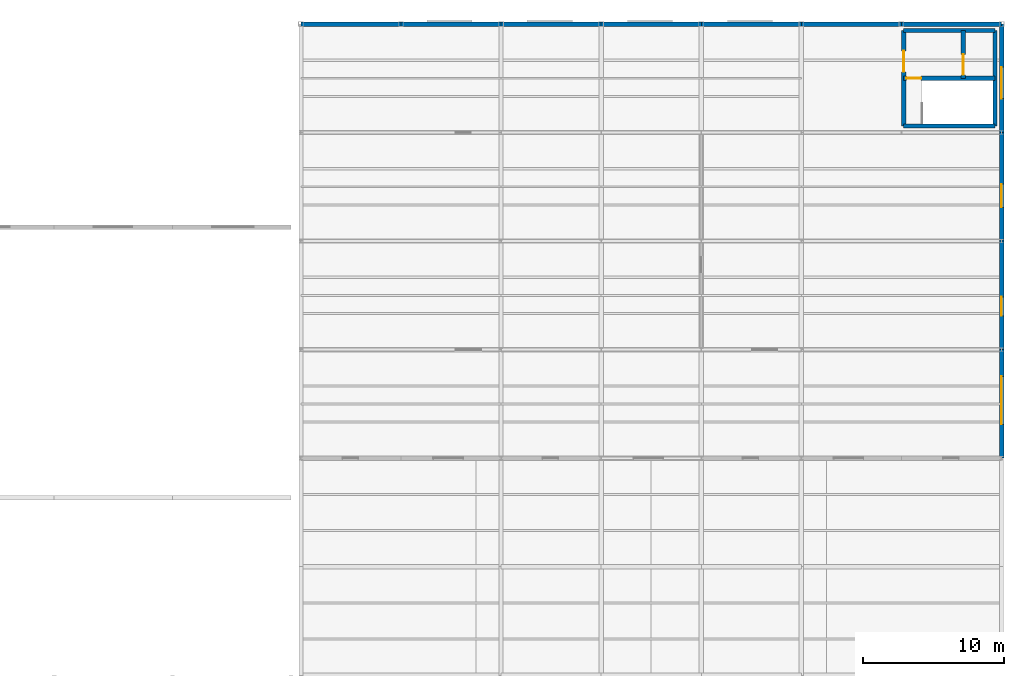
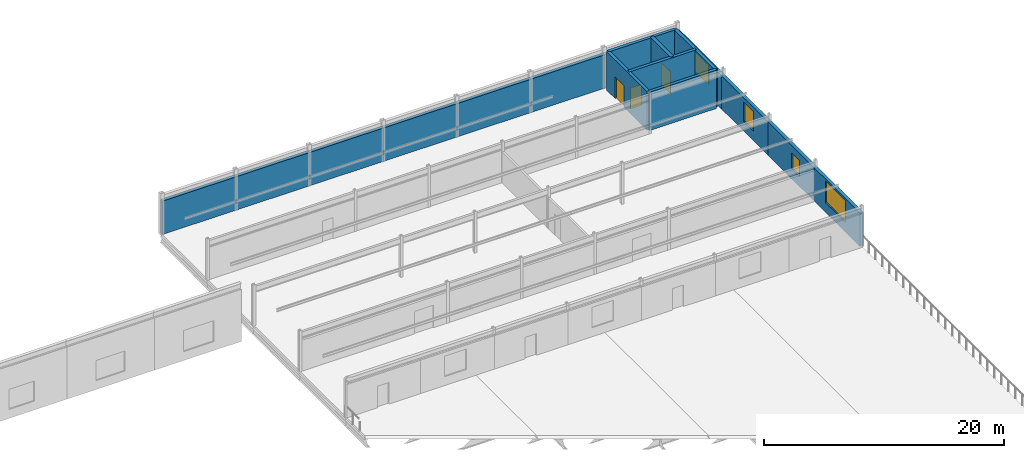
# One storey, part 34 of 39: 17 walls, 4 windows, 3 doors, 7 openings.
"""IFC4 building model written with IfcOpenShell, lengths in metres."""

from ifc_helpers import new_model, si_unit, direction, frame, frame_2d, origin, place, context, subcontext, project, spatial, rectangle, extrude, material, layer, layer_set, type_object, element, fill, save


model = new_model("IFC4")

# Units and contexts
model_context = context("Model", 3, precision=1e-05, world=origin(), true_north=direction((0.0, 1.0)))
body_context = subcontext(model_context, "Body", "Model", "MODEL_VIEW")
ifc_project = project(units=[si_unit("LENGTHUNIT", "METRE"), si_unit("AREAUNIT", "SQUARE_METRE"), si_unit("VOLUMEUNIT", "CUBIC_METRE"), si_unit("PLANEANGLEUNIT", "RADIAN"), si_unit("MASSUNIT", "GRAM", prefix="KILO")], contexts=[model_context])

# Site, building, storey
site_placement = place(None, origin())
site = spatial("IfcSite", under=ifc_project, at=site_placement, CompositionType="ELEMENT")
building_placement = place(site_placement, origin())
building = spatial("IfcBuilding", under=site, at=building_placement, Name="Kazenagashi Tramway Depot", CompositionType="ELEMENT")
storey_placement = place(building_placement, frame((0.0, 0.0, 11.1)))
storey = spatial("IfcBuildingStorey", under=building, at=storey_placement, Name="L03", CompositionType="ELEMENT", Elevation=11.1)

# Wall, opening, window
ifc_material_1 = material(Name="Clay Brick Masonry JIS R 1250 Class 1 (20 MPa)", Category="masonry")
ifc_layer_1 = layer(ifc_material_1, 0.32)
ifc_layer_set_1 = layer_set([ifc_layer_1], Name="Clay Brick Masonry JIS R 1250 Class 1 (20 MPa)")
wall_type_1 = type_object("IfcWallType", Name="W-BK3", PredefinedType="SOLIDWALL", material=ifc_layer_set_1)
wall_1_placement = place(storey_placement, frame((196.0, 38.5, 0.0), z_axis=(0.0, 0.0, 1.0), x_axis=(0.0, 1.0, 0.0)))
wall_1 = element("IfcWall", 1, at=wall_1_placement, inside=storey, type_object=wall_type_1, Name="Exterior Brick Wall W-BK3 EWALL-0167", PredefinedType="SOLIDWALL", context=body_context, shape_type="SweptSolid", body=[
    extrude(rectangle(XDim=7.7, YDim=0.32, at=frame_2d((3.85, 0.0))), origin(), (0.0, 0.0, 1.0), 3.4),
])
opening_1_placement = place(wall_1_placement, frame((2.4, 0.0, 1.0)))
opening_1 = element("IfcOpeningElement", 2, at=opening_1_placement, cuts=wall_1, Name="Opening WN-16", PredefinedType="OPENING", context=body_context, shape_type="SweptSolid", body=[
    extrude(rectangle(XDim=3.4, YDim=2.2, at=frame_2d((1.7, 1.1))), frame((0.0, 0.17, 0.0), z_axis=(0.0, -1.0, 0.0), x_axis=(1.0, 0.0, 0.0)), (0.0, 0.0, 1.0), 0.34),
])
ifc_material_2 = material(Name="Anodised Aluminium and Tempered Low-E Glass", Category="aluminium")
window_type_1 = type_object("IfcWindowType", Name="WN-16", PartitioningType="SINGLE_PANEL", PredefinedType="WINDOW", material=ifc_material_2)
window_1_placement = place(opening_1_placement, origin())
window_1 = element("IfcWindow", 3, at=window_1_placement, inside=storey, type_object=window_type_1, Name="Window WN-16 WIN-0162", OverallHeight=2.2, OverallWidth=3.4, PartitioningType="SINGLE_PANEL", PredefinedType="WINDOW", context=body_context, shape_type="SweptSolid", body=[
    extrude(rectangle(XDim=3.4, YDim=2.2, at=frame_2d((1.7, 1.1))), frame((0.0, 0.03, 0.0), z_axis=(0.0, -1.0, 0.0), x_axis=(1.0, 0.0, 0.0)), (0.0, 0.0, 1.0), 0.06),
])
fill(opening_1, window_1)

wall_2_placement = place(storey_placement, frame((196.0, 46.2, 0.0), z_axis=(0.0, 0.0, 1.0), x_axis=(0.0, 1.0, 0.0)))
wall_2 = element("IfcWall", 4, at=wall_2_placement, inside=storey, type_object=wall_type_1, Name="Exterior Brick Wall W-BK3 EWALL-0169", PredefinedType="SOLIDWALL", context=body_context, shape_type="SweptSolid", body=[
    extrude(rectangle(XDim=7.7, YDim=0.32, at=frame_2d((3.85, 0.0))), origin(), (0.0, 0.0, 1.0), 3.4),
])
opening_2_placement = place(wall_2_placement, frame((2.4, 0.0, 1.0)))
opening_2 = element("IfcOpeningElement", 5, at=opening_2_placement, cuts=wall_2, Name="Opening WN-17", PredefinedType="OPENING", context=body_context, shape_type="SweptSolid", body=[
    extrude(rectangle(XDim=1.35, YDim=1.65, at=frame_2d((0.675, 0.825))), frame((0.0, 0.17, 0.0), z_axis=(0.0, -1.0, 0.0), x_axis=(1.0, 0.0, 0.0)), (0.0, 0.0, 1.0), 0.34),
])
window_type_2 = type_object("IfcWindowType", Name="WN-17", PartitioningType="SINGLE_PANEL", PredefinedType="WINDOW", material=ifc_material_2)
window_2_placement = place(opening_2_placement, origin())
window_2 = element("IfcWindow", 6, at=window_2_placement, inside=storey, type_object=window_type_2, Name="Window WN-17 WIN-0164", OverallHeight=1.65, OverallWidth=1.35, PartitioningType="SINGLE_PANEL", PredefinedType="WINDOW", context=body_context, shape_type="SweptSolid", body=[
    extrude(rectangle(XDim=1.35, YDim=1.65, at=frame_2d((0.675, 0.825))), frame((0.0, 0.03, 0.0), z_axis=(0.0, -1.0, 0.0), x_axis=(1.0, 0.0, 0.0)), (0.0, 0.0, 1.0), 0.06),
])
fill(opening_2, window_2)

wall_3_placement = place(storey_placement, frame((196.0, 53.9, 0.0), z_axis=(0.0, 0.0, 1.0), x_axis=(0.0, 1.0, 0.0)))
wall_3 = element("IfcWall", 7, at=wall_3_placement, inside=storey, type_object=wall_type_1, Name="Exterior Brick Wall W-BK3 EWALL-0171", PredefinedType="SOLIDWALL", context=body_context, shape_type="SweptSolid", body=[
    extrude(rectangle(XDim=7.7, YDim=0.32, at=frame_2d((3.85, 0.0))), origin(), (0.0, 0.0, 1.0), 3.4),
])
opening_3_placement = place(wall_3_placement, frame((2.4, 0.0, 1.0)))
opening_3 = element("IfcOpeningElement", 8, at=opening_3_placement, cuts=wall_3, Name="Opening WN-18", PredefinedType="OPENING", context=body_context, shape_type="SweptSolid", body=[
    extrude(rectangle(XDim=1.65, YDim=1.95, at=frame_2d((0.825, 0.975))), frame((0.0, 0.17, 0.0), z_axis=(0.0, -1.0, 0.0), x_axis=(1.0, 0.0, 0.0)), (0.0, 0.0, 1.0), 0.34),
])
window_type_3 = type_object("IfcWindowType", Name="WN-18", PartitioningType="SINGLE_PANEL", PredefinedType="WINDOW", material=ifc_material_2)
window_3_placement = place(opening_3_placement, origin())
window_3 = element("IfcWindow", 9, at=window_3_placement, inside=storey, type_object=window_type_3, Name="Window WN-18 WIN-0166", OverallHeight=1.95, OverallWidth=1.65, PartitioningType="SINGLE_PANEL", PredefinedType="WINDOW", context=body_context, shape_type="SweptSolid", body=[
    extrude(rectangle(XDim=1.65, YDim=1.95, at=frame_2d((0.825, 0.975))), frame((0.0, 0.03, 0.0), z_axis=(0.0, -1.0, 0.0), x_axis=(1.0, 0.0, 0.0)), (0.0, 0.0, 1.0), 0.06),
])
fill(opening_3, window_3)

wall_4_placement = place(storey_placement, frame((196.0, 61.6, 0.0), z_axis=(0.0, 0.0, 1.0), x_axis=(0.0, 1.0, 0.0)))
wall_4 = element("IfcWall", 10, at=wall_4_placement, inside=storey, type_object=wall_type_1, Name="Exterior Brick Wall W-BK3 EWALL-0173", PredefinedType="SOLIDWALL", context=body_context, shape_type="SweptSolid", body=[
    extrude(rectangle(XDim=7.7, YDim=0.32, at=frame_2d((3.85, 0.0))), origin(), (0.0, 0.0, 1.0), 3.4),
])
opening_4_placement = place(wall_4_placement, frame((2.4, 0.0, 1.0)))
opening_4 = element("IfcOpeningElement", 11, at=opening_4_placement, cuts=wall_4, Name="Opening WN-19", PredefinedType="OPENING", context=body_context, shape_type="SweptSolid", body=[
    extrude(rectangle(XDim=2.25, YDim=1.95, at=frame_2d((1.125, 0.975))), frame((0.0, 0.17, 0.0), z_axis=(0.0, -1.0, 0.0), x_axis=(1.0, 0.0, 0.0)), (0.0, 0.0, 1.0), 0.34),
])
window_type_4 = type_object("IfcWindowType", Name="WN-19", PartitioningType="SINGLE_PANEL", PredefinedType="WINDOW", material=ifc_material_2)
window_4_placement = place(opening_4_placement, origin())
window_4 = element("IfcWindow", 12, at=window_4_placement, inside=storey, type_object=window_type_4, Name="Window WN-19 WIN-0168", OverallHeight=1.95, OverallWidth=2.25, PartitioningType="SINGLE_PANEL", PredefinedType="WINDOW", context=body_context, shape_type="SweptSolid", body=[
    extrude(rectangle(XDim=2.25, YDim=1.95, at=frame_2d((1.125, 0.975))), frame((0.0, 0.03, 0.0), z_axis=(0.0, -1.0, 0.0), x_axis=(1.0, 0.0, 0.0)), (0.0, 0.0, 1.0), 0.06),
])
fill(opening_4, window_4)

# Walls
for number, where, z_axis, x_axis, name in (
    (13, (146.3, 69.3, 0.0), (0.0, 0.0, 1.0), (1.0, 0.0, 0.0), "Exterior Brick Wall W-BK3 EWALL-0326"),
    (14, (153.4, 69.3, 0.0), (0.0, 0.0, 1.0), (1.0, 0.0, 0.0), "Exterior Brick Wall W-BK3 EWALL-0329"),
    (15, (160.5, 69.3, 0.0), (0.0, 0.0, 1.0), (1.0, 0.0, 0.0), "Exterior Brick Wall W-BK3 EWALL-0332"),
    (16, (167.6, 69.3, 0.0), (0.0, 0.0, 1.0), (1.0, 0.0, 0.0), "Exterior Brick Wall W-BK3 EWALL-0335"),
    (17, (174.7, 69.3, 0.0), (0.0, 0.0, 1.0), (1.0, 0.0, 0.0), "Exterior Brick Wall W-BK3 EWALL-0338"),
    (18, (181.8, 69.3, 0.0), (0.0, 0.0, 1.0), (1.0, 0.0, 0.0), "Exterior Brick Wall W-BK3 EWALL-0341"),
    (19, (188.9, 69.3, 0.0), (0.0, 0.0, 1.0), (1.0, 0.0, 0.0), "Exterior Brick Wall W-BK3 EWALL-0344"),
):
    element("IfcWall", number, at=place(storey_placement, frame(where, z_axis=z_axis, x_axis=x_axis)), inside=storey, type_object=wall_type_1, Name=name, PredefinedType="SOLIDWALL", context=body_context, shape_type="SweptSolid", body=[
        extrude(rectangle(XDim=7.1, YDim=0.32, at=frame_2d((3.55, 0.0))), origin(), (0.0, 0.0, 1.0), 3.4),
    ])
ifc_material_3 = material(Name="Concrete Fc36", Category="concrete")
ifc_layer_2 = layer(ifc_material_3, 0.3)
ifc_layer_set_2 = layer_set([ifc_layer_2], Name="Concrete Fc36")
wall_type_2 = type_object("IfcWallType", Name="W-RC1", PredefinedType="SHEAR", material=ifc_layer_set_2)
for number, where, z_axis, x_axis, name in (
    (20, (189.06, 62.06, 0.0), (0.0, 0.0, 1.0), (1.0, 0.0, 0.0), "Core Shear Wall W-RC1 IWALL-0211"),
    (21, (189.06, 68.84, 0.0), (0.0, 0.0, 1.0), (1.0, 0.0, 0.0), "Core Shear Wall W-RC1 IWALL-0212"),
):
    element("IfcWall", number, at=place(storey_placement, frame(where, z_axis=z_axis, x_axis=x_axis)), inside=storey, type_object=wall_type_2, Name=name, PredefinedType="SHEAR", context=body_context, shape_type="SweptSolid", body=[
        extrude(rectangle(XDim=6.48, YDim=0.3, at=frame_2d((3.24, 0.0))), origin(), (0.0, 0.0, 1.0), 3.92),
    ])

# Wall, opening, door
wall_5_placement = place(storey_placement, frame((189.06, 62.06, 0.0), z_axis=(0.0, 0.0, 1.0), x_axis=(0.0, 1.0, 0.0)))
wall_5 = element("IfcWall", 22, at=wall_5_placement, inside=storey, type_object=wall_type_2, Name="Core Shear Wall W-RC1 IWALL-0213", PredefinedType="SHEAR", context=body_context, shape_type="SweptSolid", body=[
    extrude(rectangle(XDim=6.78, YDim=0.3, at=frame_2d((3.39, 0.0))), origin(), (0.0, 0.0, 1.0), 3.92),
])
opening_5_placement = place(wall_5_placement, frame((3.84, 0.0, 0.0)))
opening_5 = element("IfcOpeningElement", 23, at=opening_5_placement, cuts=wall_5, Name="Opening D-121", PredefinedType="OPENING", context=body_context, shape_type="SweptSolid", body=[
    extrude(rectangle(XDim=1.5, YDim=2.2, at=frame_2d((0.75, 1.1))), frame((0.0, 0.16, 0.0), z_axis=(0.0, -1.0, 0.0), x_axis=(1.0, 0.0, 0.0)), (0.0, 0.0, 1.0), 0.32),
])
ifc_material_4 = material(Name="Galvanised Fire-Rated Steel Door", Category="steel")
door_type_1 = type_object("IfcDoorType", Name="DT-05", OperationType="NOTDEFINED", PredefinedType="DOOR", material=ifc_material_4)
door_1_placement = place(opening_5_placement, origin())
door_1 = element("IfcDoor", 24, at=door_1_placement, inside=storey, type_object=door_type_1, Name="Interior Door D-121", OperationType="DOUBLE_DOOR_SINGLE_SWING", OverallHeight=2.2, OverallWidth=1.5, PredefinedType="DOOR", context=body_context, shape_type="SweptSolid", body=[
    extrude(rectangle(XDim=1.5, YDim=2.2, at=frame_2d((0.75, 1.1))), frame((0.0, 0.025, 0.0), z_axis=(0.0, -1.0, 0.0), x_axis=(1.0, 0.0, 0.0)), (0.0, 0.0, 1.0), 0.05),
])
fill(opening_5, door_1)

# Wall
wall_6_placement = place(storey_placement, frame((195.54, 62.06, 0.0), z_axis=(0.0, 0.0, 1.0), x_axis=(0.0, 1.0, 0.0)))
element("IfcWall", 25, at=wall_6_placement, inside=storey, type_object=wall_type_2, Name="Core Shear Wall W-RC1 IWALL-0214", PredefinedType="SHEAR", context=body_context, shape_type="SweptSolid", body=[
    extrude(rectangle(XDim=6.78, YDim=0.3, at=frame_2d((3.39, 0.0))), origin(), (0.0, 0.0, 1.0), 3.92),
])

# Wall, opening, door
wall_7_placement = place(storey_placement, frame((189.06, 65.45, 0.0), z_axis=(0.0, 0.0, 1.0), x_axis=(1.0, 0.0, 0.0)))
wall_7 = element("IfcWall", 26, at=wall_7_placement, inside=storey, type_object=wall_type_2, Name="Core Shear Wall W-RC1 IWALL-0215", PredefinedType="SHEAR", context=body_context, shape_type="SweptSolid", body=[
    extrude(rectangle(XDim=6.48, YDim=0.3, at=frame_2d((3.24, 0.0))), origin(), (0.0, 0.0, 1.0), 3.92),
])
opening_6_placement = place(wall_7_placement, frame((0.185, 0.0, 0.0)))
opening_6 = element("IfcOpeningElement", 27, at=opening_6_placement, cuts=wall_7, Name="Opening D-120", PredefinedType="OPENING", context=body_context, shape_type="SweptSolid", body=[
    extrude(rectangle(XDim=1.05, YDim=2.15, at=frame_2d((0.525, 1.075))), frame((0.0, 0.16, 0.0), z_axis=(0.0, -1.0, 0.0), x_axis=(1.0, 0.0, 0.0)), (0.0, 0.0, 1.0), 0.32),
])
door_type_2 = type_object("IfcDoorType", Name="DT-07", OperationType="NOTDEFINED", PredefinedType="DOOR", material=ifc_material_4)
door_2_placement = place(opening_6_placement, origin())
door_2 = element("IfcDoor", 28, at=door_2_placement, inside=storey, type_object=door_type_2, Name="Interior Door D-120", OperationType="SINGLE_SWING_LEFT", OverallHeight=2.15, OverallWidth=1.05, PredefinedType="DOOR", context=body_context, shape_type="SweptSolid", body=[
    extrude(rectangle(XDim=1.05, YDim=2.15, at=frame_2d((0.525, 1.075))), frame((0.0, 0.025, 0.0), z_axis=(0.0, -1.0, 0.0), x_axis=(1.0, 0.0, 0.0)), (0.0, 0.0, 1.0), 0.05),
])
fill(opening_6, door_2)

wall_8_placement = place(storey_placement, frame((193.29, 65.45, 0.0), z_axis=(0.0, 0.0, 1.0), x_axis=(0.0, 1.0, 0.0)))
wall_8 = element("IfcWall", 29, at=wall_8_placement, inside=storey, type_object=wall_type_2, Name="Core Shear Wall W-RC1 IWALL-0216", PredefinedType="SHEAR", context=body_context, shape_type="SweptSolid", body=[
    extrude(rectangle(XDim=3.39, YDim=0.3, at=frame_2d((1.695, 0.0))), origin(), (0.0, 0.0, 1.0), 3.92),
])
opening_7_placement = place(wall_8_placement, frame((0.25, 0.0, 0.0)))
opening_7 = element("IfcOpeningElement", 30, at=opening_7_placement, cuts=wall_8, Name="Opening LD-29", PredefinedType="OPENING", context=body_context, shape_type="SweptSolid", body=[
    extrude(rectangle(XDim=1.45, YDim=2.25, at=frame_2d((0.725, 1.125))), frame((0.0, 0.16, 0.0), z_axis=(0.0, -1.0, 0.0), x_axis=(1.0, 0.0, 0.0)), (0.0, 0.0, 1.0), 0.32),
])
ifc_material_5 = material(Name="Brushed Stainless Steel Landing Door", Category="steel")
door_type_3 = type_object("IfcDoorType", Name="DT-32", OperationType="NOTDEFINED", PredefinedType="DOOR", material=ifc_material_5)
door_3_placement = place(opening_7_placement, origin())
door_3 = element("IfcDoor", 31, at=door_3_placement, inside=storey, type_object=door_type_3, Name="Lift Sliding Landing Door LD-29", OperationType="SLIDING_TO_LEFT", OverallHeight=2.25, OverallWidth=1.45, PredefinedType="DOOR", context=body_context, shape_type="SweptSolid", body=[
    extrude(rectangle(XDim=1.45, YDim=2.25, at=frame_2d((0.725, 1.125))), frame((0.0, 0.025, 0.0), z_axis=(0.0, -1.0, 0.0), x_axis=(1.0, 0.0, 0.0)), (0.0, 0.0, 1.0), 0.05),
])
fill(opening_7, door_3)

save(model, "model.ifc")
